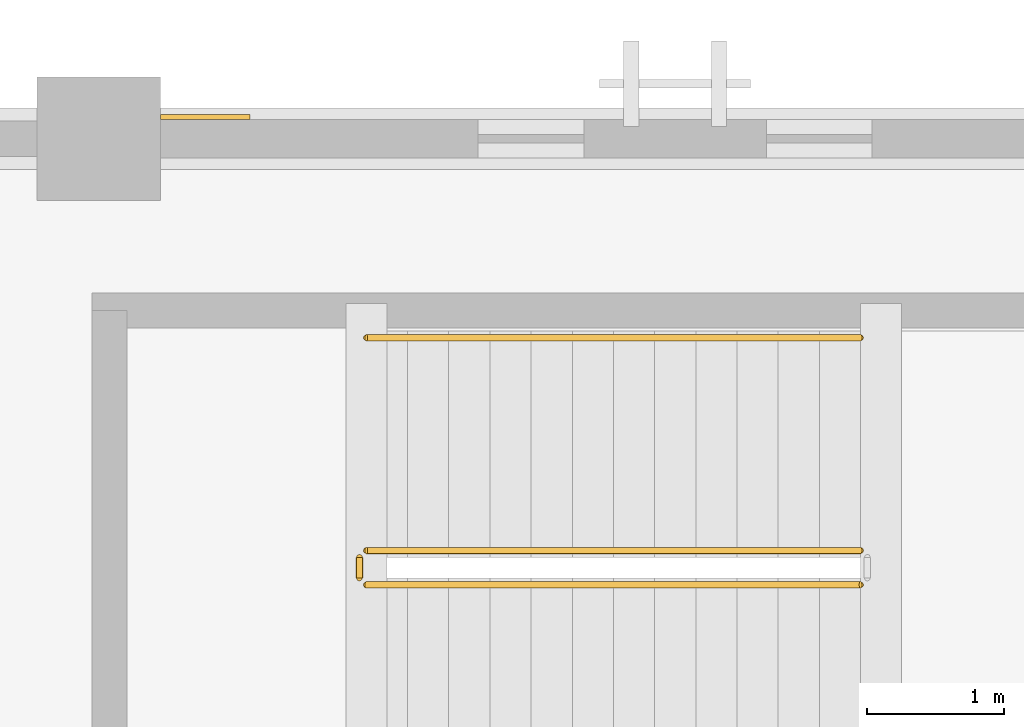
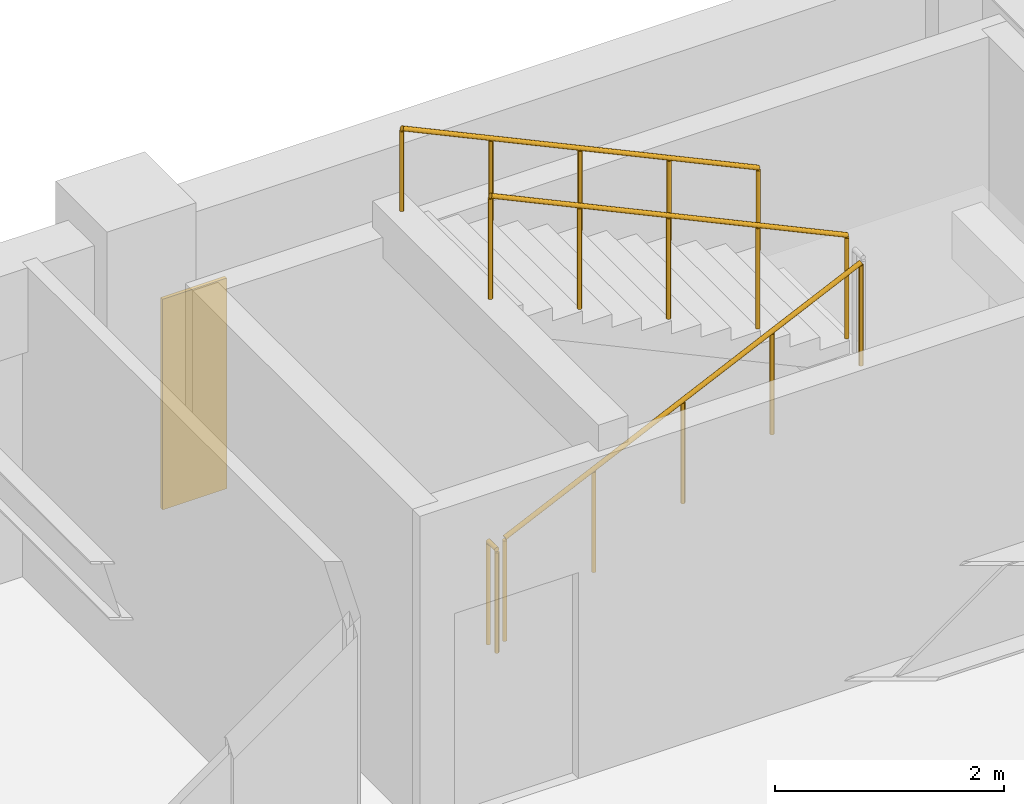
# One storey, part 94 of 118: 4 railings, 1 covering.
"""IFC4 building model written with IfcOpenShell, lengths in metres."""

from ifc_helpers import new_model, si_unit, direction, frame, origin, origin_2d, place, context, subcontext, project, spatial, polyline, circle, outline, extrude, material, layer, layer_set, type_object, element, save


model = new_model("IFC4")

# Units and contexts
model_context = context("Model", 3, precision=1e-05, world=origin(), true_north=direction((0.0, 1.0)))
body_context = subcontext(model_context, "Body", "Model", "MODEL_VIEW")
ifc_project = project(units=[si_unit("LENGTHUNIT", "METRE"), si_unit("AREAUNIT", "SQUARE_METRE"), si_unit("VOLUMEUNIT", "CUBIC_METRE"), si_unit("PLANEANGLEUNIT", "RADIAN"), si_unit("MASSUNIT", "GRAM", prefix="KILO")], contexts=[model_context])

# Site, building, storey
site_placement = place(None, origin())
site = spatial("IfcSite", under=ifc_project, at=site_placement, CompositionType="ELEMENT")
building_placement = place(site_placement, origin())
building = spatial("IfcBuilding", under=site, at=building_placement, Name="Cumbredor Promenade Congress Hotel", CompositionType="ELEMENT")
storey_placement = place(building_placement, frame((0.0, 0.0, 3.919921875)))
storey = spatial("IfcBuildingStorey", under=building, at=storey_placement, Name="L01", CompositionType="ELEMENT", Elevation=3.919921875)

# Railings
ifc_material_1 = material(Name="Brushed stainless steel", Category="steel")
railing_type_1 = type_object("IfcRailingType", Name="Interior Void & Stair Guardrail GR-1100", PredefinedType="GUARDRAIL", material=ifc_material_1)
railing_1_placement = place(storey_placement, frame((60.75, 63.949951171875, 0.14013671875)))
element("IfcRailing", 1, at=railing_1_placement, inside=storey, type_object=railing_type_1, Name="L01 ST-07 stair guard 1", PredefinedType="GUARDRAIL", context=body_context, shape_type="SweptSolid", body=[
    extrude(circle(Radius=0.02392578125, at=origin_2d()), frame((0.0, 0.0, 1.09619140625), z_axis=(0.906194129559, 0.0, 0.422861915468), x_axis=(0.0, 1.0, 0.0)), (0.0, 0.0, 1.0), 3.97265625),
    extrude(circle(Radius=0.02099609375, at=origin_2d()), origin(), (0.0, 0.0, 1.0), 1.072021484375),
    extrude(circle(Radius=0.02099609375, at=origin_2d()), frame((0.89990234375, 0.0, 0.419921875)), (0.0, 0.0, 1.0), 1.072021484375),
    extrude(circle(Radius=0.02099609375, at=origin_2d()), frame((1.800048828125, 0.0, 0.83984375)), (0.0, 0.0, 1.0), 1.072021484375),
    extrude(circle(Radius=0.02099609375, at=origin_2d()), frame((2.7001953125, 0.0, 1.260009765625)), (0.0, 0.0, 1.0), 1.072021484375),
    extrude(circle(Radius=0.02099609375, at=origin_2d()), frame((3.60009765625, 0.0, 1.679931640625)), (0.0, 0.0, 1.0), 1.072021484375),
])
railing_2_placement = place(storey_placement, frame((64.35009765625, 64.199951171875, 1.9599609375)))
element("IfcRailing", 2, at=railing_2_placement, inside=storey, type_object=railing_type_1, Name="L01 ST-07 stair guard 3", PredefinedType="GUARDRAIL", context=body_context, shape_type="SweptSolid", body=[
    extrude(circle(Radius=0.02392578125, at=origin_2d()), frame((0.0, 0.0, 1.09619140625), z_axis=(-0.906170580071, 0.0, 0.422912378411), x_axis=(0.0, -1.0, 0.0)), (0.0, 0.0, 1.0), 3.972900390625),
    extrude(circle(Radius=0.02099609375, at=origin_2d()), origin(), (0.0, 0.0, 1.0), 1.072021484375),
    extrude(circle(Radius=0.02099609375, at=origin_2d()), frame((-0.89990234375, 0.0, 0.419921875)), (0.0, 0.0, 1.0), 1.072021484375),
    extrude(circle(Radius=0.02099609375, at=origin_2d()), frame((-1.800048828125, 0.0, 0.840087890625)), (0.0, 0.0, 1.0), 1.072021484375),
    extrude(circle(Radius=0.02099609375, at=origin_2d()), frame((-2.7001953125, 0.0, 1.26025390625)), (0.0, 0.0, 1.0), 1.072021484375),
    extrude(circle(Radius=0.02099609375, at=origin_2d()), frame((-3.60009765625, 0.0, 1.68017578125)), (0.0, 0.0, 1.0), 1.072021484375),
])
railing_3_placement = place(storey_placement, frame((60.699951171875, 64.0, 0.0)))
element("IfcRailing", 3, at=railing_3_placement, inside=storey, type_object=railing_type_1, Name="L01 ST-07 stair guard 4", PredefinedType="GUARDRAIL", context=body_context, shape_type="SweptSolid", body=[
    extrude(circle(Radius=0.02392578125, at=origin_2d()), frame((0.0, 0.0, 1.09619140625), z_axis=(0.0, 1.0, 0.0), x_axis=(-1.0, 0.0, 0.0)), (0.0, 0.0, 1.0), 0.14990234375),
    extrude(circle(Radius=0.02099609375, at=origin_2d()), origin(), (0.0, 0.0, 1.0), 1.072021484375),
    extrude(circle(Radius=0.02099609375, at=origin_2d()), frame((0.0, 0.14990234375, 0.0)), (0.0, 0.0, 1.0), 1.072021484375),
])
railing_type_2 = type_object("IfcRailingType", Name="Stair Pitch Handrail HR-900", PredefinedType="HANDRAIL", material=ifc_material_1)
railing_4_placement = place(storey_placement, frame((64.35009765625, 65.75, 1.9599609375)))
element("IfcRailing", 4, at=railing_4_placement, inside=storey, type_object=railing_type_2, Name="L01 ST-07 stair handrail 2", PredefinedType="HANDRAIL", context=body_context, shape_type="SweptSolid", body=[
    extrude(circle(Radius=0.02392578125, at=origin_2d()), frame((0.0, 0.0, 0.8759765625), z_axis=(-0.906170580071, 0.0, 0.422912378411), x_axis=(0.0, -1.0, 0.0)), (0.0, 0.0, 1.0), 3.972900390625),
    extrude(circle(Radius=0.02099609375, at=origin_2d()), origin(), (0.0, 0.0, 1.0), 0.851806640625),
    extrude(circle(Radius=0.02099609375, at=origin_2d()), frame((-0.89990234375, 0.0, 0.419921875)), (0.0, 0.0, 1.0), 0.851806640625),
    extrude(circle(Radius=0.02099609375, at=origin_2d()), frame((-1.800048828125, 0.0, 0.840087890625)), (0.0, 0.0, 1.0), 0.851806640625),
    extrude(circle(Radius=0.02099609375, at=origin_2d()), frame((-2.7001953125, 0.0, 1.26025390625)), (0.0, 0.0, 1.0), 0.851806640625),
    extrude(circle(Radius=0.02099609375, at=origin_2d()), frame((-3.60009765625, 0.0, 1.68017578125)), (0.0, 0.0, 1.0), 0.851806640625),
])

# Covering
ifc_material_2 = material(Name="Volcanic andesite ashlar cladding", Category="masonry")
ifc_layer = layer(ifc_material_2, 0.034912109375, Name="Volcanic andesite ashlar cladding", Category="masonry")
ifc_layer_set = layer_set([ifc_layer], Name="Volcanic andesite ashlar cladding")
covering_type = type_object("IfcCoveringType", Name="Volcanic Andesite Ashlar Rainscreen Cladding 35mm", PredefinedType="CLADDING", material=ifc_layer_set)
covering_placement = place(storey_placement, origin())
element("IfcCovering", 5, at=covering_placement, inside=storey, type_object=covering_type, Name="L01 Facade Stone Cladding Pier 049", PredefinedType="CLADDING", context=body_context, shape_type="SweptSolid", body=[
    extrude(outline(polyline([(59.2509765625, 67.340087890625), (59.90087890625, 67.340087890625), (59.90087890625, 67.375), (59.2509765625, 67.375), (59.2509765625, 67.340087890625)])), origin(), (0.0, 0.0, 1.0), 2.25),
])

save(model, "model.ifc")
